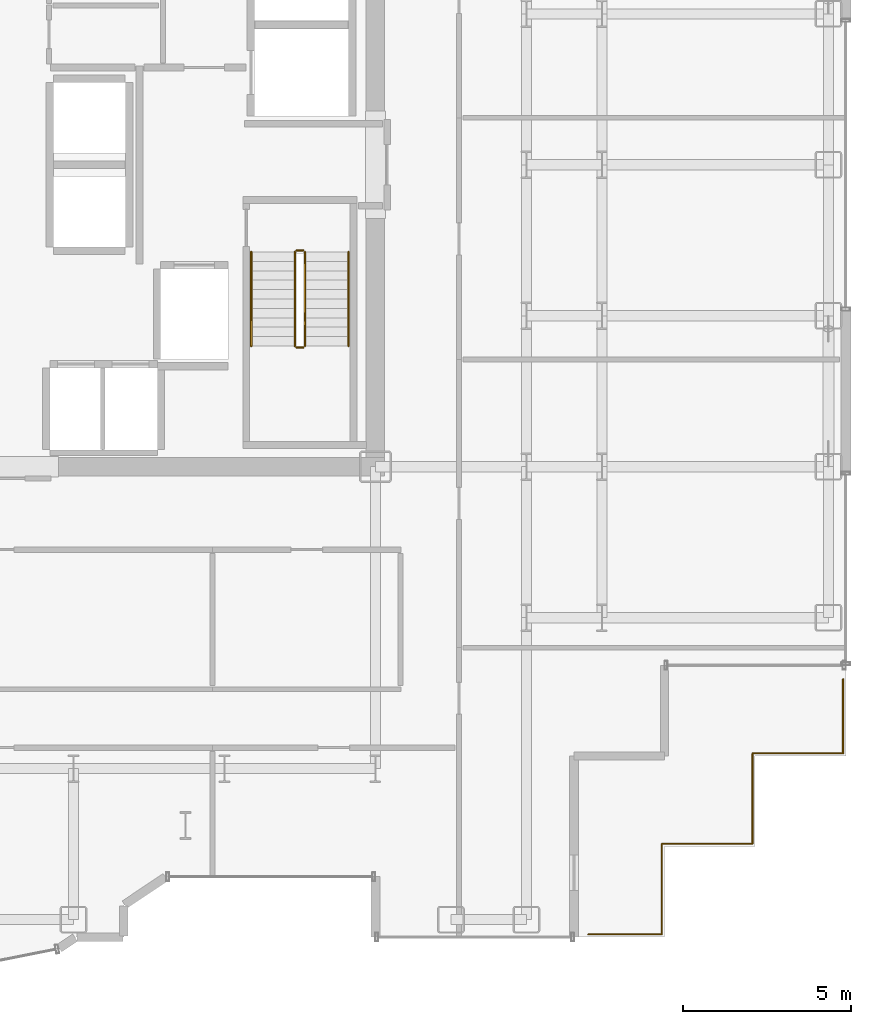
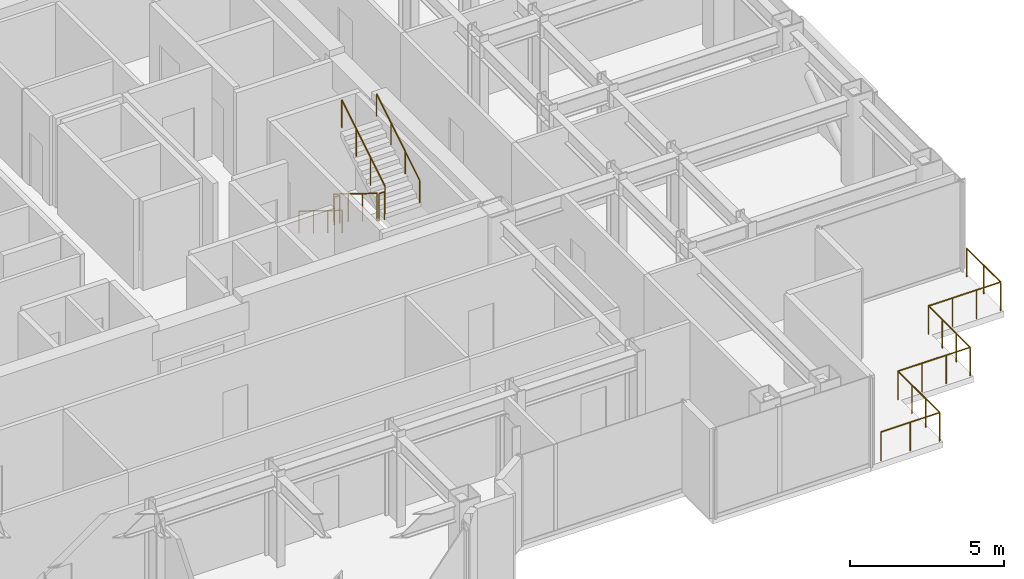
# One storey, part 27 of 27: 8 railings.
"""IFC4 building model written with IfcOpenShell, lengths in metres."""

import ifcopenshell
import ifcopenshell.guid

model = None  # the IFC model being written
_history = None  # IfcOwnerHistory: only IFC2X3 demands one
_inside = {}  # id of a spatial element -> (the spatial element, [elements in it])
_under = {}  # id of a project, library or spatial element -> (it, [spatial elements below it])
_declared = {}  # id of a project -> (the project, [libraries it declares])
_typed = {}  # id of a type object -> (the type object, [elements of that type])
_made_of = {}  # id of a material, layer set ... -> (it, [elements and type objects made of it])


def new_model(schema):
    """Start an empty IFC model of exactly this schema.

    Asked for "IFC4X3", IfcOpenShell would pick the latest addendum, in which some entities
    have other attributes; the version numbers below select the first issue.
    IFC2X3 requires an IfcOwnerHistory on every rooted entity: one is made here for all.
    """
    global model, _history
    if schema == "IFC4X3":
        model = ifcopenshell.file(schema_version=(4, 3, 0, 0))
    else:
        model = ifcopenshell.file(schema=schema)
    _inside.clear()
    _under.clear()
    _declared.clear()
    _typed.clear()
    _made_of.clear()
    _history = None
    if model.schema == "IFC2X3":
        org = make("IfcOrganization", Name="unknown")
        user = make(
            "IfcPersonAndOrganization",
            ThePerson=make("IfcPerson", FamilyName="unknown"),
            TheOrganization=org,
        )
        app = make(
            "IfcApplication",
            ApplicationDeveloper=org,
            Version="unknown",
            ApplicationFullName="unknown",
            ApplicationIdentifier="unknown",
        )
        _history = make(
            "IfcOwnerHistory",
            OwningUser=user,
            OwningApplication=app,
            ChangeAction="ADDED",
            CreationDate=0,
        )
    return model


def make(cls, **values):
    """One entity of the class cls with the attributes given. An attribute that is None is left unset."""
    return model.create_entity(
        cls, **{name: value for name, value in values.items() if value is not None}
    )


def rooted(cls, **values):
    """An entity with a GlobalId (a new one), such as an element, a storey or a relation."""
    return make(cls, GlobalId=ifcopenshell.guid.new(), OwnerHistory=_history, **values)


def si_unit(unit_type, name, prefix=None):
    """IfcSIUnit, for example si_unit("LENGTHUNIT", "METRE", prefix="MILLI")."""
    return make("IfcSIUnit", UnitType=unit_type, Prefix=prefix, Name=name)


def assignment(units):
    """IfcUnitAssignment: the units of a project."""
    return None if units is None else make("IfcUnitAssignment", Units=units)


def point(xyz):
    """IfcCartesianPoint."""
    return None if xyz is None else make("IfcCartesianPoint", Coordinates=xyz)


def direction(xyz):
    """IfcDirection."""
    return None if xyz is None else make("IfcDirection", DirectionRatios=xyz)


def frame(location, z_axis=None, x_axis=None):
    """IfcAxis2Placement3D, a coordinate frame: its origin and axes. An axis left out is left unset."""
    return make(
        "IfcAxis2Placement3D",
        Location=point(location),
        Axis=direction(z_axis),
        RefDirection=direction(x_axis),
    )


def frame_2d(location, x_axis=None):
    """IfcAxis2Placement2D, a coordinate frame in the plane: its origin and x axis."""
    return make(
        "IfcAxis2Placement2D", Location=point(location), RefDirection=direction(x_axis)
    )


def origin():
    """The frame at (0, 0, 0) with its axes left unset."""
    return frame((0.0, 0.0, 0.0))


def origin_2d():
    """The frame at (0, 0) in the plane with its x axis left unset."""
    return frame_2d((0.0, 0.0))


def place(relative_to, where):
    """IfcLocalPlacement: puts the frame where relative to a parent placement (None: the world)."""
    return make(
        "IfcLocalPlacement", PlacementRelTo=relative_to, RelativePlacement=where
    )


def context(
    kind, dimensions, precision=None, world=None, true_north=None, identifier=None
):
    """IfcGeometricRepresentationContext, for example the 3D "Model" context."""
    return make(
        "IfcGeometricRepresentationContext",
        ContextIdentifier=identifier,
        ContextType=kind,
        CoordinateSpaceDimension=dimensions,
        Precision=precision,
        WorldCoordinateSystem=world,
        TrueNorth=true_north,
    )


def subcontext(parent, identifier, kind, view, scale=None):
    """IfcGeometricRepresentationSubContext, for example "Body" below "Model"."""
    return make(
        "IfcGeometricRepresentationSubContext",
        ContextIdentifier=identifier,
        ContextType=kind,
        ParentContext=parent,
        TargetScale=scale,
        TargetView=view,
    )


def project(units=None, contexts=None):
    """IfcProject with its units and contexts."""
    return rooted(
        "IfcProject",
        Name="project",
        RepresentationContexts=contexts,
        UnitsInContext=assignment(units),
    )


def spatial(cls, under=None, at=None, **own):
    """A site, building, storey or space (cls), placed at a placement, below another one or the project."""
    s = rooted(cls, ObjectPlacement=at, **own)
    if under is not None:
        _under.setdefault(under.id(), (under, []))[1].append(s)
    return s


def profile(cls, at=None, kind="AREA", **sizes):
    """A parametric profile (cls). Its sizes go by their IFC names, for example OverallWidth=200.0."""
    return make(cls, ProfileType=kind, Position=at, **sizes)


def circle(**sizes):
    """IfcCircleProfileDef."""
    return profile("IfcCircleProfileDef", **sizes)


def extrude(swept, where, along, depth):
    """IfcExtrudedAreaSolid: the profile swept, set in the frame where, extruded along a direction by depth."""
    return make(
        "IfcExtrudedAreaSolid",
        SweptArea=swept,
        Position=where,
        ExtrudedDirection=direction(along),
        Depth=depth,
    )


def shape(context_of_items, identifier, shape_type, items):
    """IfcShapeRepresentation: the items that make up one representation, for example the "Body"."""
    return make(
        "IfcShapeRepresentation",
        ContextOfItems=context_of_items,
        RepresentationIdentifier=identifier,
        RepresentationType=shape_type,
        Items=items,
    )


def material(Name=None, Category=None):
    """IfcMaterial."""
    return make("IfcMaterial", Name=Name, Category=Category)


def made_of(thing, what):
    """Note that an element or type object is made of a material, layer set ...; save() writes the relation."""
    if what is not None:
        _made_of.setdefault(what.id(), (what, []))[1].append(thing)
    return thing


def type_object(cls, material=None, **own):
    """A type object (cls), such as IfcWallType, which elements share."""
    return made_of(rooted(cls, **own), material)


def element(
    cls,
    number,
    at=None,
    inside=None,
    cuts=None,
    type_object=None,
    material=None,
    context=None,
    identifier="Body",
    shape_type=None,
    held_by="IfcProductDefinitionShape",
    body=None,
    shapes=None,
    **own,
):
    """One element of the class cls, such as IfcWall. Its Tag is "e" and its number.

    at: its placement. inside: the storey or other place that contains it. cuts: it is an
    opening in that element (IfcRelVoidsElement). A single representation is given by context,
    identifier, shape_type and body (its items); several are given by shapes. held_by: the class
    of the entity that holds the representations. save() writes the other relations.
    """
    e = rooted(cls, Tag="e%d" % number, ObjectPlacement=at, **own)
    if body is not None:
        shapes = [shape(context, identifier, shape_type, body)]
    if shapes is not None:
        e.Representation = make(held_by, Representations=shapes)
    if inside is not None:
        _inside.setdefault(inside.id(), (inside, []))[1].append(e)
    if cuts is not None:
        rooted(
            "IfcRelVoidsElement", RelatingBuildingElement=cuts, RelatedOpeningElement=e
        )
    if type_object is not None:
        _typed.setdefault(type_object.id(), (type_object, []))[1].append(e)
    return made_of(e, material)


def aggregate(whole, parts):
    """IfcRelAggregates: a whole, such as a stair, and the parts it consists of."""
    return rooted("IfcRelAggregates", RelatingObject=whole, RelatedObjects=parts)


def save(model, path):
    """Write the relations noted so far, then the file.

    IfcRelAggregates (storeys below a building ...), IfcRelContainedInSpatialStructure (elements
    in a storey), IfcRelDefinesByType, IfcRelAssociatesMaterial and IfcRelDeclares: one each for
    every whole, place, type object, material and project.
    """
    for whole, parts in _under.values():
        aggregate(whole, parts)
    for where, things in _inside.values():
        rooted(
            "IfcRelContainedInSpatialStructure",
            RelatedElements=things,
            RelatingStructure=where,
        )
    for kind, things in _typed.values():
        rooted("IfcRelDefinesByType", RelatedObjects=things, RelatingType=kind)
    for what, things in _made_of.values():
        rooted("IfcRelAssociatesMaterial", RelatedObjects=things, RelatingMaterial=what)
    for by, libraries in _declared.values():
        rooted("IfcRelDeclares", RelatingContext=by, RelatedDefinitions=libraries)
    model.write(path)


model = new_model("IFC4")

# Units and contexts
model_context = context("Model", 3, precision=1e-05, world=origin(), true_north=direction((0.0, 1.0)))
body_context = subcontext(model_context, "Body", "Model", "MODEL_VIEW")
ifc_project = project(units=[si_unit("LENGTHUNIT", "METRE"), si_unit("AREAUNIT", "SQUARE_METRE"), si_unit("VOLUMEUNIT", "CUBIC_METRE"), si_unit("PLANEANGLEUNIT", "RADIAN"), si_unit("MASSUNIT", "GRAM", prefix="KILO")], contexts=[model_context])

# Site, building, storey
site_placement = place(None, origin())
site = spatial("IfcSite", under=ifc_project, at=site_placement, CompositionType="ELEMENT")
building_placement = place(site_placement, origin())
building = spatial("IfcBuilding", under=site, at=building_placement, Name="Nefas-Gora Pilgrimage Tower", CompositionType="ELEMENT")
storey_placement = place(building_placement, frame((0.0, 0.0, 183.0)))
storey = spatial("IfcBuildingStorey", under=building, at=storey_placement, Name="L45", CompositionType="ELEMENT", Elevation=183.0)

# Railings
ifc_material_1 = material(Name="Painted galvanised steel", Category="steel")
railing_type_1 = type_object("IfcRailingType", Name="RLG-STR-GUARD-1100", PredefinedType="GUARDRAIL", material=ifc_material_1)
railing_1_placement = place(storey_placement, frame((8.85009765625, -2.60009765625, 0.172607421875)))
element("IfcRailing", 1, at=railing_1_placement, inside=storey, type_object=railing_type_1, Name="L45 ST-02 stair guard 1", PredefinedType="GUARDRAIL", context=body_context, shape_type="SweptSolid", body=[
    extrude(circle(Radius=0.02392578125, at=origin_2d()), frame((0.0, 0.0, 1.09619140625), z_axis=(0.0, -0.851069175582, 0.525053576669), x_axis=(1.0, 0.0, 0.0)), (0.0, 0.0, 1.0), 3.289794921875),
    extrude(circle(Radius=0.02099609375, at=origin_2d()), origin(), (0.0, 0.0, 1.0), 1.072021484375),
    extrude(circle(Radius=0.02099609375, at=origin_2d()), frame((0.0, -0.933349609375, 0.57568359375)), (0.0, 0.0, 1.0), 1.072021484375),
    extrude(circle(Radius=0.02099609375, at=origin_2d()), frame((0.0, -1.866455078125, 1.151611328125)), (0.0, 0.0, 1.0), 1.072021484375),
    extrude(circle(Radius=0.02099609375, at=origin_2d()), frame((0.0, -2.7998046875, 1.727294921875)), (0.0, 0.0, 1.0), 1.072021484375),
])
railing_2_placement = place(storey_placement, frame((8.89990234375, -5.449951171875, 1.89990234375)))
element("IfcRailing", 2, at=railing_2_placement, inside=storey, type_object=railing_type_1, Name="L45 ST-02 stair guard 2", PredefinedType="GUARDRAIL", context=body_context, shape_type="SweptSolid", body=[
    extrude(circle(Radius=0.02392578125, at=origin_2d()), frame((0.0, 0.0, 1.09619140625), z_axis=(1.0, 0.0, 0.0), x_axis=(0.0, 1.0, 0.0)), (0.0, 0.0, 1.0), 0.2001953125),
    extrude(circle(Radius=0.02099609375, at=origin_2d()), origin(), (0.0, 0.0, 1.0), 1.072021484375),
    extrude(circle(Radius=0.02099609375, at=origin_2d()), frame((0.2001953125, 0.0, 0.0)), (0.0, 0.0, 1.0), 1.072021484375),
])
railing_3_placement = place(storey_placement, frame((9.14990234375, -5.39990234375, 2.07275390625)))
element("IfcRailing", 3, at=railing_3_placement, inside=storey, type_object=railing_type_1, Name="L45 ST-02 stair guard 3", PredefinedType="GUARDRAIL", context=body_context, shape_type="SweptSolid", body=[
    extrude(circle(Radius=0.02392578125, at=origin_2d()), frame((0.0, 0.0, 1.09619140625), z_axis=(0.0, 0.851069175582, 0.525053576669), x_axis=(-1.0, 0.0, 0.0)), (0.0, 0.0, 1.0), 3.289794921875),
    extrude(circle(Radius=0.02099609375, at=origin_2d()), origin(), (0.0, 0.0, 1.0), 1.072021484375),
    extrude(circle(Radius=0.02099609375, at=origin_2d()), frame((0.0, 0.933349609375, 0.57568359375)), (0.0, 0.0, 1.0), 1.072021484375),
    extrude(circle(Radius=0.02099609375, at=origin_2d()), frame((0.0, 1.866455078125, 1.151611328125)), (0.0, 0.0, 1.0), 1.072021484375),
    extrude(circle(Radius=0.02099609375, at=origin_2d()), frame((0.0, 2.7998046875, 1.727294921875)), (0.0, 0.0, 1.0), 1.072021484375),
])
railing_4_placement = place(storey_placement, frame((8.89990234375, -2.550048828125, 0.0)))
element("IfcRailing", 4, at=railing_4_placement, inside=storey, type_object=railing_type_1, Name="L45 ST-02 stair guard 4", PredefinedType="GUARDRAIL", context=body_context, shape_type="SweptSolid", body=[
    extrude(circle(Radius=0.02392578125, at=origin_2d()), frame((0.0, 0.0, 1.09619140625), z_axis=(1.0, 0.0, 0.0), x_axis=(0.0, 1.0, 0.0)), (0.0, 0.0, 1.0), 0.2001953125),
    extrude(circle(Radius=0.02099609375, at=origin_2d()), origin(), (0.0, 0.0, 1.0), 1.072021484375),
    extrude(circle(Radius=0.02099609375, at=origin_2d()), frame((0.2001953125, 0.0, 0.0)), (0.0, 0.0, 1.0), 1.072021484375),
])
ifc_material_2 = material(Name="Brushed stainless steel", Category="steel")
railing_type_2 = type_object("IfcRailingType", Name="RLG-STR-HAND-900", PredefinedType="HANDRAIL", material=ifc_material_2)
railing_5_placement = place(storey_placement, frame((7.550048828125, -2.60009765625, 0.172607421875)))
element("IfcRailing", 5, at=railing_5_placement, inside=storey, type_object=railing_type_2, Name="L45 ST-02 stair handrail 1", PredefinedType="HANDRAIL", context=body_context, shape_type="SweptSolid", body=[
    extrude(circle(Radius=0.02392578125, at=origin_2d()), frame((0.0, 0.0, 0.8759765625), z_axis=(0.0, -0.851069175582, 0.525053576669), x_axis=(1.0, 0.0, 0.0)), (0.0, 0.0, 1.0), 3.289794921875),
    extrude(circle(Radius=0.02099609375, at=origin_2d()), origin(), (0.0, 0.0, 1.0), 0.851806640625),
    extrude(circle(Radius=0.02099609375, at=origin_2d()), frame((0.0, -0.933349609375, 0.57568359375)), (0.0, 0.0, 1.0), 0.851806640625),
    extrude(circle(Radius=0.02099609375, at=origin_2d()), frame((0.0, -1.866455078125, 1.151611328125)), (0.0, 0.0, 1.0), 0.851806640625),
    extrude(circle(Radius=0.02099609375, at=origin_2d()), frame((0.0, -2.7998046875, 1.727294921875)), (0.0, 0.0, 1.0), 0.851806640625),
])
railing_6_placement = place(storey_placement, frame((10.449951171875, -5.39990234375, 2.07275390625)))
element("IfcRailing", 6, at=railing_6_placement, inside=storey, type_object=railing_type_2, Name="L45 ST-02 stair handrail 2", PredefinedType="HANDRAIL", context=body_context, shape_type="SweptSolid", body=[
    extrude(circle(Radius=0.02392578125, at=origin_2d()), frame((0.0, 0.0, 0.8759765625), z_axis=(0.0, 0.851069175582, 0.525053576669), x_axis=(-1.0, 0.0, 0.0)), (0.0, 0.0, 1.0), 3.289794921875),
    extrude(circle(Radius=0.02099609375, at=origin_2d()), origin(), (0.0, 0.0, 1.0), 0.851806640625),
    extrude(circle(Radius=0.02099609375, at=origin_2d()), frame((0.0, 0.933349609375, 0.57568359375)), (0.0, 0.0, 1.0), 0.851806640625),
    extrude(circle(Radius=0.02099609375, at=origin_2d()), frame((0.0, 1.866455078125, 1.151611328125)), (0.0, 0.0, 1.0), 0.851806640625),
    extrude(circle(Radius=0.02099609375, at=origin_2d()), frame((0.0, 2.7998046875, 1.727294921875)), (0.0, 0.0, 1.0), 0.851806640625),
])
ifc_material_3 = material(Name="Laminated safety glass and stainless steel", Category="steel")
railing_type_3 = type_object("IfcRailingType", Name="RLG-TER-1150", PredefinedType="BALUSTRADE", material=ifc_material_3)
railing_7_placement = place(storey_placement, frame((25.18994140625, -17.5400390625, 0.0)))
element("IfcRailing", 7, at=railing_7_placement, inside=storey, type_object=railing_type_3, Name="L45 Terrace Continuous Balustrade TER-SP-SE.1", PredefinedType="BALUSTRADE", context=body_context, shape_type="SweptSolid", body=[
    extrude(circle(Radius=0.02392578125, at=origin_2d()), frame((0.0, 0.0, 1.1259765625), z_axis=(-1.0, 0.0, 0.0), x_axis=(0.0, -1.0, 0.0)), (0.0, 0.0, 1.0), 2.699951171875),
    extrude(circle(Radius=0.02392578125, at=origin_2d()), frame((-2.699951171875, 0.0, 1.1259765625), z_axis=(0.0, -1.0, 0.0), x_axis=(1.0, 0.0, 0.0)), (0.0, 0.0, 1.0), 2.699951171875),
    extrude(circle(Radius=0.02392578125, at=origin_2d()), frame((-2.699951171875, -2.699951171875, 1.1259765625), z_axis=(-1.0, 0.0, 0.0), x_axis=(0.0, -1.0, 0.0)), (0.0, 0.0, 1.0), 2.699951171875),
    extrude(circle(Radius=0.02392578125, at=origin_2d()), frame((-5.39990234375, -2.699951171875, 1.1259765625), z_axis=(0.0, -1.0, 0.0), x_axis=(1.0, 0.0, 0.0)), (0.0, 0.0, 1.0), 2.699951171875),
    extrude(circle(Radius=0.02392578125, at=origin_2d()), frame((-5.39990234375, -5.39990234375, 1.1259765625), z_axis=(-1.0, 0.0, 0.0), x_axis=(0.0, -1.0, 0.0)), (0.0, 0.0, 1.0), 2.199951171875),
    extrude(circle(Radius=0.02099609375, at=origin_2d()), origin(), (0.0, 0.0, 1.0), 1.101806640625),
    extrude(circle(Radius=0.02099609375, at=origin_2d()), frame((-0.89990234375, 0.0, 0.0)), (0.0, 0.0, 1.0), 1.101806640625),
    extrude(circle(Radius=0.02099609375, at=origin_2d()), frame((-1.800048828125, 0.0, 0.0)), (0.0, 0.0, 1.0), 1.101806640625),
    extrude(circle(Radius=0.02099609375, at=origin_2d()), frame((-2.699951171875, 0.0, 0.0)), (0.0, 0.0, 1.0), 1.101806640625),
    extrude(circle(Radius=0.02099609375, at=origin_2d()), frame((-2.699951171875, -0.89990234375, 0.0)), (0.0, 0.0, 1.0), 1.101806640625),
    extrude(circle(Radius=0.02099609375, at=origin_2d()), frame((-2.699951171875, -1.800048828125, 0.0)), (0.0, 0.0, 1.0), 1.101806640625),
    extrude(circle(Radius=0.02099609375, at=origin_2d()), frame((-2.699951171875, -2.699951171875, 0.0)), (0.0, 0.0, 1.0), 1.101806640625),
    extrude(circle(Radius=0.02099609375, at=origin_2d()), frame((-3.599853515625, -2.699951171875, 0.0)), (0.0, 0.0, 1.0), 1.101806640625),
    extrude(circle(Radius=0.02099609375, at=origin_2d()), frame((-4.5, -2.699951171875, 0.0)), (0.0, 0.0, 1.0), 1.101806640625),
    extrude(circle(Radius=0.02099609375, at=origin_2d()), frame((-5.39990234375, -2.699951171875, 0.0)), (0.0, 0.0, 1.0), 1.101806640625),
    extrude(circle(Radius=0.02099609375, at=origin_2d()), frame((-5.39990234375, -3.599853515625, 0.0)), (0.0, 0.0, 1.0), 1.101806640625),
    extrude(circle(Radius=0.02099609375, at=origin_2d()), frame((-5.39990234375, -4.5, 0.0)), (0.0, 0.0, 1.0), 1.101806640625),
    extrude(circle(Radius=0.02099609375, at=origin_2d()), frame((-5.39990234375, -5.39990234375, 0.0)), (0.0, 0.0, 1.0), 1.101806640625),
    extrude(circle(Radius=0.02099609375, at=origin_2d()), frame((-6.5, -5.39990234375, 0.0)), (0.0, 0.0, 1.0), 1.101806640625),
    extrude(circle(Radius=0.02099609375, at=origin_2d()), frame((-7.599853515625, -5.39990234375, 0.0)), (0.0, 0.0, 1.0), 1.101806640625),
])
railing_8_placement = place(storey_placement, frame((25.18994140625, -15.340087890625, 0.0)))
element("IfcRailing", 8, at=railing_8_placement, inside=storey, type_object=railing_type_3, Name="L45 Terrace Continuous Balustrade TER-SP-SE.2", PredefinedType="BALUSTRADE", context=body_context, shape_type="SweptSolid", body=[
    extrude(circle(Radius=0.02392578125, at=origin_2d()), frame((0.0, 0.0, 1.1259765625), z_axis=(0.0, -1.0, 0.0), x_axis=(1.0, 0.0, 0.0)), (0.0, 0.0, 1.0), 2.199951171875),
    extrude(circle(Radius=0.02099609375, at=origin_2d()), origin(), (0.0, 0.0, 1.0), 1.101806640625),
    extrude(circle(Radius=0.02099609375, at=origin_2d()), frame((0.0, -1.10009765625, 0.0)), (0.0, 0.0, 1.0), 1.101806640625),
    extrude(circle(Radius=0.02099609375, at=origin_2d()), frame((0.0, -2.199951171875, 0.0)), (0.0, 0.0, 1.0), 1.101806640625),
])

save(model, "model.ifc")
